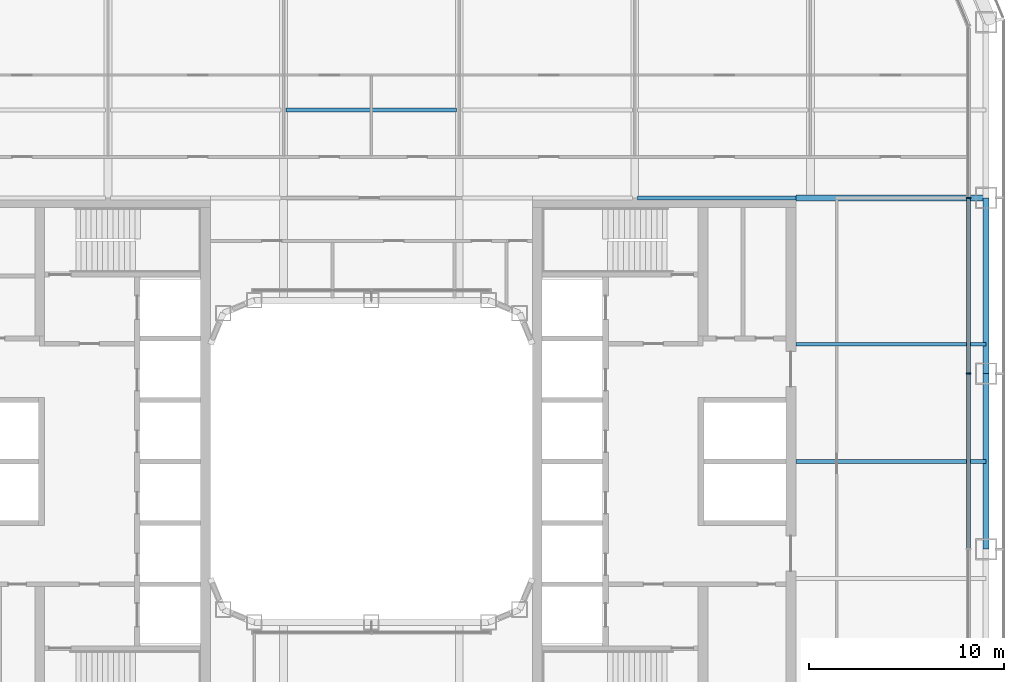
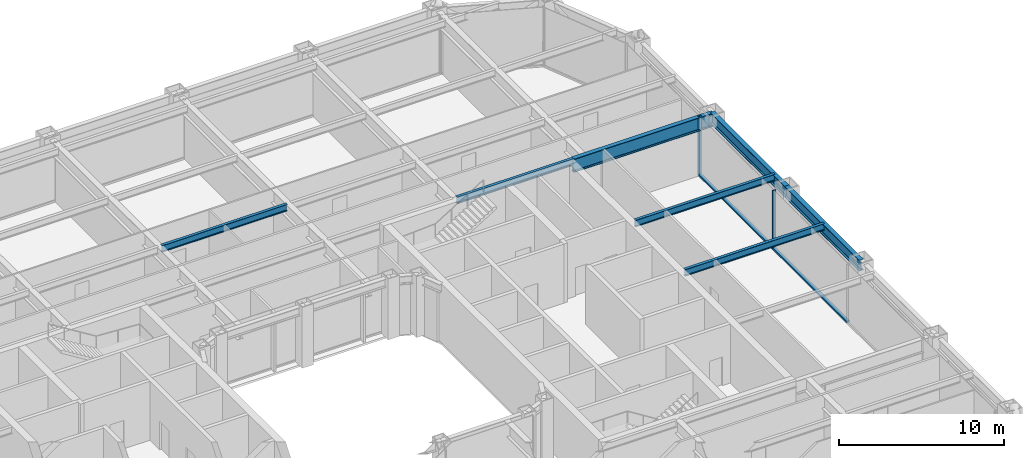
# One storey, part 9 of 24: 7 beams, 4 members, 1 element without a shape of its own.
"""IFC4 building model written with IfcOpenShell, lengths in metres."""

from ifc_helpers import new_model, si_unit, direction, frame, origin, origin_2d, place, context, subcontext, project, spatial, rectangle, i_section, extrude, material, layer, layer_set, material_profile, profile_set, type_object, element, aggregate, save


model = new_model("IFC4")

# Units and contexts
model_context = context("Model", 3, precision=1e-05, world=origin(), true_north=direction((0.0, 1.0)))
body_context = subcontext(model_context, "Body", "Model", "MODEL_VIEW")
ifc_project = project(units=[si_unit("LENGTHUNIT", "METRE"), si_unit("AREAUNIT", "SQUARE_METRE"), si_unit("VOLUMEUNIT", "CUBIC_METRE"), si_unit("PLANEANGLEUNIT", "RADIAN"), si_unit("MASSUNIT", "GRAM", prefix="KILO")], contexts=[model_context])

# Site, building, storey
site_placement = place(None, origin())
site = spatial("IfcSite", under=ifc_project, at=site_placement, CompositionType="ELEMENT")
building_placement = place(site_placement, origin())
building = spatial("IfcBuilding", under=site, at=building_placement, Name="Siwar Civic Tower", CompositionType="ELEMENT")
storey_placement = place(building_placement, frame((0.0, 0.0, 22.199951171875)))
storey = spatial("IfcBuildingStorey", under=building, at=storey_placement, Name="L04", CompositionType="ELEMENT", Elevation=22.199951171875)

# Curtain wall, members
ifc_material_1 = material(Name="Aluminium and glass", Category="aluminium")
ifc_layer = layer(ifc_material_1, 0.219970703125)
ifc_layer_set = layer_set([ifc_layer], Name="Aluminium and glass")
curtain_wall_type = type_object("IfcCurtainWallType", Name="ENV-CW-A", PredefinedType="NOTDEFINED", material=ifc_layer_set)
curtain_wall_placement = place(storey_placement, origin())
curtain_wall = element("IfcCurtainWall", 1, at=curtain_wall_placement, inside=storey, type_object=curtain_wall_type, Name="Curtain wall A E", PredefinedType="NOTDEFINED")
ifc_material_2 = material(Name="Aluminium 6063-T6", Category="aluminium")
ifc_material_profile_1 = material_profile(ifc_material_2, rectangle(XDim=0.219970703125, YDim=0.070068359375, at=origin_2d()), Name="AL 220x70")
ifc_profile_set_1 = profile_set([ifc_material_profile_1], Name="Aluminium 6063-T6")
member_type_1 = type_object("IfcMemberType", Name="ENV-MULLION-A", PredefinedType="MULLION", material=ifc_profile_set_1)
member_1_placement = place(storey_placement, frame((30.60009765625, 4.5, 0.0), z_axis=(0.0, 0.0, 1.0), x_axis=(-1.0, 0.0, 0.0)))
member_1 = element("IfcMember", 2, at=member_1_placement, type_object=member_type_1, Name="Mullion A E 4", PredefinedType="MULLION", context=body_context, shape_type="SweptSolid", body=[
    extrude(rectangle(XDim=0.219970703125, YDim=0.070068359375, at=origin_2d()), origin(), (0.0, 0.0, 1.0), 4.35009765625),
])
member_2_placement = place(storey_placement, frame((30.60009765625, 13.5, 0.0), z_axis=(0.0, 0.0, 1.0), x_axis=(-1.0, 0.0, 0.0)))
member_2 = element("IfcMember", 3, at=member_2_placement, type_object=member_type_1, Name="Mullion A E 5", PredefinedType="MULLION", context=body_context, shape_type="SweptSolid", body=[
    extrude(rectangle(XDim=0.219970703125, YDim=0.070068359375, at=origin_2d()), origin(), (0.0, 0.0, 1.0), 4.35009765625),
])
ifc_material_3 = material(Name="Aluminium 6063-T6", Category="aluminium")
ifc_material_profile_2 = material_profile(ifc_material_3, rectangle(XDim=0.219970703125, YDim=0.1201171875, at=origin_2d()), Name="AL 220x120")
ifc_profile_set_2 = profile_set([ifc_material_profile_2], Name="Aluminium 6063-T6")
member_type_2 = type_object("IfcMemberType", Name="ENV-TRANSOM-A", PredefinedType="USERDEFINED", material=ifc_profile_set_2)
member_3_placement = place(storey_placement, frame((30.60009765625, -4.465087890625, 0.06005859375), z_axis=(0.0, 1.0, 0.0), x_axis=(-1.0, 0.0, 0.0)))
member_3 = element("IfcMember", 4, at=member_3_placement, type_object=member_type_2, Name="Transom A E 3", ObjectType="TRANSOM", PredefinedType="USERDEFINED", context=body_context, shape_type="SweptSolid", body=[
    extrude(rectangle(XDim=0.219970703125, YDim=0.1201171875, at=origin_2d()), origin(), (0.0, 0.0, 1.0), 8.93017578125),
])
member_4_placement = place(storey_placement, frame((30.60009765625, 4.534912109375, 0.06005859375), z_axis=(0.0, 1.0, 0.0), x_axis=(-1.0, 0.0, 0.0)))
member_4 = element("IfcMember", 5, at=member_4_placement, type_object=member_type_2, Name="Transom A E 4", ObjectType="TRANSOM", PredefinedType="USERDEFINED", context=body_context, shape_type="SweptSolid", body=[
    extrude(rectangle(XDim=0.219970703125, YDim=0.1201171875, at=origin_2d()), origin(), (0.0, 0.0, 1.0), 8.93017578125),
])
aggregate(curtain_wall, [member_1, member_2, member_3, member_4])

# Beams
ifc_material_4 = material(Name="Steel S355", Category="steel")
ifc_material_profile_3 = material_profile(ifc_material_4, i_section(OverallWidth=0.199951171875, OverallDepth=0.5, WebThickness=0.01025390625, FlangeThickness=0.01611328125, FilletRadius=0.02099609375, at=origin_2d()), Name="IPE500")
ifc_profile_set_3 = profile_set([ifc_material_profile_3], Name="Steel S355")
beam_type_1 = type_object("IfcBeamType", Name="STR-FB-IPE500", PredefinedType="JOIST", material=ifc_profile_set_3)
for number, where, z_axis, x_axis, name in (
    (6, (21.75, 0.0, 4.10009765625), (1.0, 0.0, 0.0), (0.0, 1.0, 0.0), "L04/bm/F034"),
    (7, (21.75, 6.0, 4.10009765625), (1.0, 0.0, 0.0), (0.0, 1.0, 0.0), "L04/bm/F036"),
):
    element("IfcBeam", number, at=place(storey_placement, frame(where, z_axis=z_axis, x_axis=x_axis)), inside=storey, type_object=beam_type_1, Name=name, PredefinedType="JOIST", context=body_context, shape_type="SweptSolid", body=[
        extrude(i_section(OverallWidth=0.199951171875, OverallDepth=0.5, WebThickness=0.01025390625, FlangeThickness=0.01611328125, FilletRadius=0.02099609375, at=origin_2d()), origin(), (0.0, 0.0, 1.0), 9.75),
    ])
beam_1_placement = place(storey_placement, frame((13.6298828125, 13.5, 4.10009765625), z_axis=(1.0, 0.0, 0.0), x_axis=(0.0, 1.0, 0.0)))
element("IfcBeam", 8, at=beam_1_placement, inside=storey, type_object=beam_type_1, Name="L04/bm/F044", PredefinedType="JOIST", context=body_context, shape_type="SweptSolid", body=[
    extrude(i_section(OverallWidth=0.199951171875, OverallDepth=0.5, WebThickness=0.01025390625, FlangeThickness=0.01611328125, FilletRadius=0.02099609375, at=origin_2d()), origin(), (0.0, 0.0, 1.0), 8.1201171875),
])
beam_2_placement = place(storey_placement, frame((-4.3701171875, 18.0, 4.10009765625), z_axis=(1.0, 0.0, 0.0), x_axis=(0.0, 1.0, 0.0)))
element("IfcBeam", 9, at=beam_2_placement, inside=storey, type_object=beam_type_1, Name="L04/bm/F049", PredefinedType="JOIST", context=body_context, shape_type="SweptSolid", body=[
    extrude(i_section(OverallWidth=0.199951171875, OverallDepth=0.5, WebThickness=0.01025390625, FlangeThickness=0.01611328125, FilletRadius=0.02099609375, at=origin_2d()), origin(), (0.0, 0.0, 1.0), 8.740234375),
])
ifc_material_5 = material(Name="Steel S355", Category="steel")
ifc_material_profile_4 = material_profile(ifc_material_5, i_section(OverallWidth=0.300048828125, OverallDepth=1.0, WebThickness=0.01904296875, FlangeThickness=0.035888671875, FilletRadius=0.030029296875, at=origin_2d()), Name="HEB1000")
ifc_profile_set_4 = profile_set([ifc_material_profile_4], Name="Steel S355")
beam_type_2 = type_object("IfcBeamType", Name="STR-PG-HEB1000", PredefinedType="BEAM", material=ifc_profile_set_4)
beam_3_placement = place(storey_placement, frame((21.75, 13.5, 3.85009765625), z_axis=(1.0, 0.0, 0.0), x_axis=(0.0, 1.0, 0.0)))
element("IfcBeam", 10, at=beam_3_placement, inside=storey, type_object=beam_type_2, Name="L04/bm/F045", PredefinedType="BEAM", context=body_context, shape_type="SweptSolid", body=[
    extrude(i_section(OverallWidth=0.300048828125, OverallDepth=1.0, WebThickness=0.01904296875, FlangeThickness=0.035888671875, FilletRadius=0.030029296875, at=origin_2d()), origin(), (0.0, 0.0, 1.0), 9.75),
])
ifc_material_6 = material(Name="Steel S355", Category="steel")
ifc_material_profile_5 = material_profile(ifc_material_6, i_section(OverallWidth=0.302978515625, OverallDepth=0.81396484375, WebThickness=0.02099609375, FlangeThickness=0.0400390625, FilletRadius=0.030029296875, at=origin_2d()), Name="HEM800")
ifc_profile_set_5 = profile_set([ifc_material_profile_5], Name="Steel S355")
beam_type_3 = type_object("IfcBeamType", Name="STR-SB-HEM800", PredefinedType="BEAM", material=ifc_profile_set_5)
for number, where, z_axis, x_axis, name in (
    (11, (31.5, -4.5, 3.943115234375), (0.0, 1.0, 0.0), (-1.0, 0.0, 0.0), "L04/bm/SE-2"),
    (12, (31.5, 4.5, 3.943115234375), (0.0, 1.0, 0.0), (-1.0, 0.0, 0.0), "L04/bm/SE-3"),
):
    element("IfcBeam", number, at=place(storey_placement, frame(where, z_axis=z_axis, x_axis=x_axis)), inside=storey, type_object=beam_type_3, Name=name, PredefinedType="BEAM", context=body_context, shape_type="SweptSolid", body=[
        extrude(i_section(OverallWidth=0.302978515625, OverallDepth=0.81396484375, WebThickness=0.02099609375, FlangeThickness=0.0400390625, FilletRadius=0.030029296875, at=origin_2d()), origin(), (0.0, 0.0, 1.0), 9.0),
    ])

save(model, "model.ifc")
